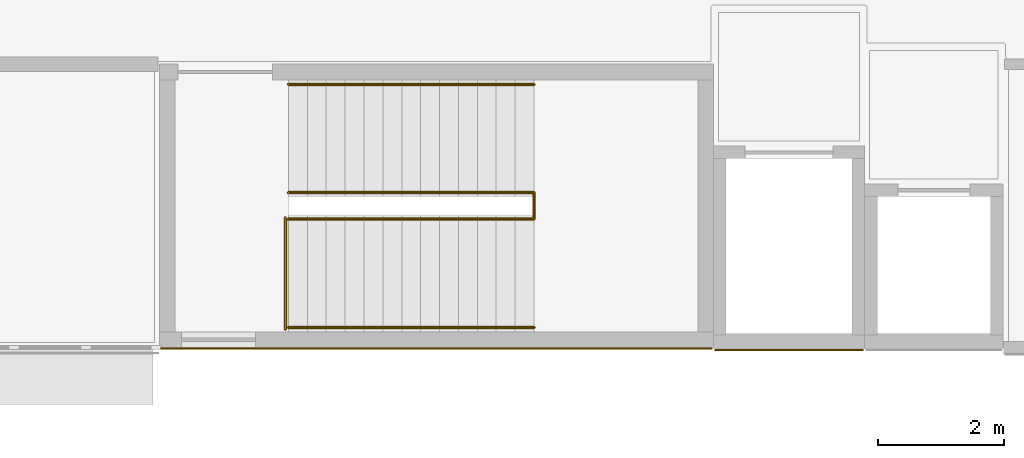
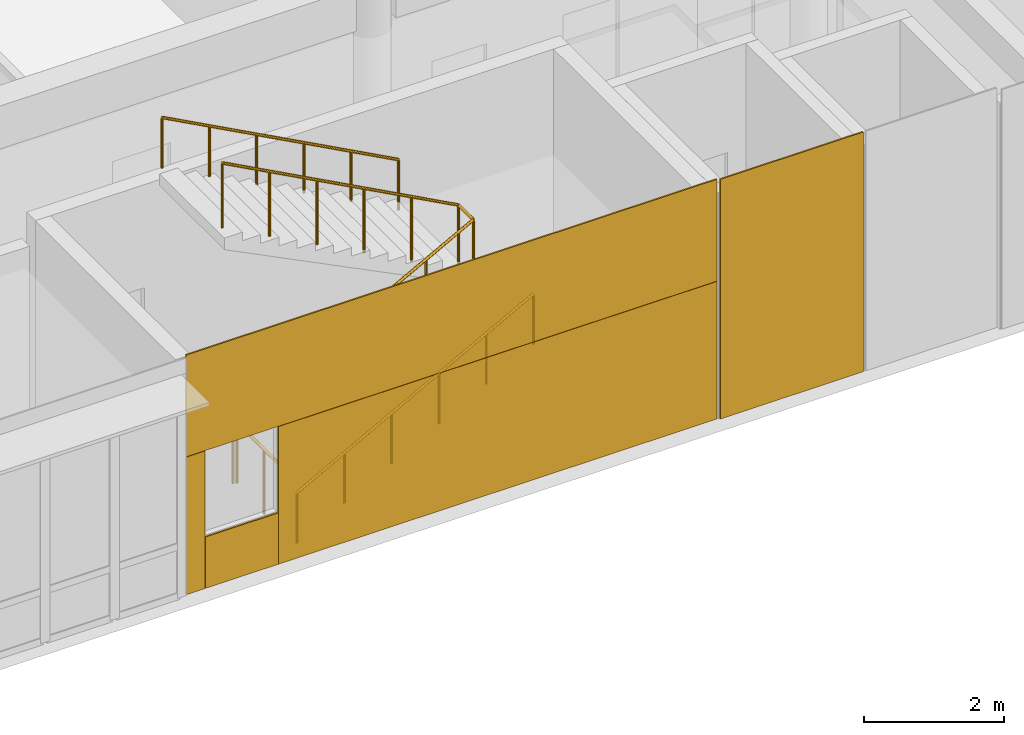
# One storey, part 47 of 55: 5 coverings, 4 railings.
"""IFC4 building model written with IfcOpenShell, lengths in metres."""

from ifc_helpers import new_model, si_unit, direction, frame, origin, origin_2d, place, context, subcontext, project, spatial, rectangle, circle, extrude, material, layer, layer_set, type_object, element, save


model = new_model("IFC4")

# Units and contexts
model_context = context("Model", 3, precision=1e-05, world=origin(), true_north=direction((0.0, 1.0)))
body_context = subcontext(model_context, "Body", "Model", "MODEL_VIEW")
ifc_project = project(units=[si_unit("LENGTHUNIT", "METRE"), si_unit("AREAUNIT", "SQUARE_METRE"), si_unit("VOLUMEUNIT", "CUBIC_METRE"), si_unit("PLANEANGLEUNIT", "RADIAN"), si_unit("MASSUNIT", "GRAM", prefix="KILO")], contexts=[model_context])

# Site, building, storey
site_placement = place(None, origin())
site = spatial("IfcSite", under=ifc_project, at=site_placement, CompositionType="ELEMENT")
building_placement = place(site_placement, origin())
building = spatial("IfcBuilding", under=site, at=building_placement, Name="Namkhue Oval Health Centre", CompositionType="ELEMENT")
storey_placement = place(building_placement, frame((0.0, 0.0, 9.60009765625)))
storey = spatial("IfcBuildingStorey", under=building, at=storey_placement, Name="L02", CompositionType="ELEMENT", Elevation=9.60009765625)

# Railings
ifc_material_1 = material(Name="Brushed stainless steel 316L balustrade with laminated glass infill", Category="steel")
railing_type_1 = type_object("IfcRailingType", Name="INTERIOR BALUSTRADE GUARD 1150", PredefinedType="BALUSTRADE", material=ifc_material_1)
railing_1_placement = place(storey_placement, frame((59.60009765625, 90.2900390625, 0.0)))
element("IfcRailing", 1, at=railing_1_placement, inside=storey, type_object=railing_type_1, Name="Stair ST-03 L02 Landing Well Edge Guard", PredefinedType="BALUSTRADE", context=body_context, shape_type="SweptSolid", body=[
    extrude(circle(Radius=0.02392578125, at=origin_2d()), frame((0.0, 0.0, 1.1259765625), z_axis=(0.0, 1.0, 0.0), x_axis=(-1.0, 0.0, 0.0)), (0.0, 0.0, 1.0), 1.77001953125),
    extrude(circle(Radius=0.02099609375, at=origin_2d()), origin(), (0.0, 0.0, 1.0), 1.101806640625),
    extrude(circle(Radius=0.02099609375, at=origin_2d()), frame((0.0, 0.885009765625, 0.0)), (0.0, 0.0, 1.0), 1.101806640625),
    extrude(circle(Radius=0.02099609375, at=origin_2d()), frame((0.0, 1.77001953125, 0.0)), (0.0, 0.0, 1.0), 1.101806640625),
])
railing_2_placement = place(storey_placement, frame((59.64990234375, 92.0400390625, 0.0)))
element("IfcRailing", 2, at=railing_2_placement, inside=storey, type_object=railing_type_1, Name="Stair ST-03 L02 Inner Well Guard", PredefinedType="BALUSTRADE", context=body_context, shape_type="SweptSolid", body=[
    extrude(circle(Radius=0.02392578125, at=origin_2d()), frame((0.0, 0.0, 1.1259765625), z_axis=(0.88049233674, 0.0, 0.474060381114), x_axis=(0.0, 1.0, 0.0)), (0.0, 0.0, 1.0), 4.429443359375),
    extrude(circle(Radius=0.02392578125, at=origin_2d()), frame((3.900146484375, 0.0, 3.2255859375), z_axis=(0.0, 1.0, 0.0), x_axis=(-1.0, 0.0, 0.0)), (0.0, 0.0, 1.0), 0.419921875),
    extrude(circle(Radius=0.02392578125, at=origin_2d()), frame((3.900146484375, 0.419921875, 3.2255859375), z_axis=(-0.880469330154, 0.0, 0.474103109733), x_axis=(0.0, -1.0, 0.0)), (0.0, 0.0, 1.0), 4.4296875),
    extrude(circle(Radius=0.02099609375, at=origin_2d()), origin(), (0.0, 0.0, 1.0), 1.101806640625),
    extrude(circle(Radius=0.02099609375, at=origin_2d()), frame((0.780029296875, 0.0, 0.419921875)), (0.0, 0.0, 1.0), 1.101806640625),
    extrude(circle(Radius=0.02099609375, at=origin_2d()), frame((1.56005859375, 0.0, 0.83984375)), (0.0, 0.0, 1.0), 1.101806640625),
    extrude(circle(Radius=0.02099609375, at=origin_2d()), frame((2.340087890625, 0.0, 1.260009765625)), (0.0, 0.0, 1.0), 1.101806640625),
    extrude(circle(Radius=0.02099609375, at=origin_2d()), frame((3.1201171875, 0.0, 1.679931640625)), (0.0, 0.0, 1.0), 1.101806640625),
    extrude(circle(Radius=0.02099609375, at=origin_2d()), frame((3.900146484375, 0.0, 2.099853515625)), (0.0, 0.0, 1.0), 1.101806640625),
    extrude(circle(Radius=0.02099609375, at=origin_2d()), frame((3.900146484375, 0.419921875, 2.099853515625)), (0.0, 0.0, 1.0), 1.101806640625),
    extrude(circle(Radius=0.02099609375, at=origin_2d()), frame((3.1201171875, 0.419921875, 2.519775390625)), (0.0, 0.0, 1.0), 1.101806640625),
    extrude(circle(Radius=0.02099609375, at=origin_2d()), frame((2.340087890625, 0.419921875, 2.93994140625)), (0.0, 0.0, 1.0), 1.101806640625),
    extrude(circle(Radius=0.02099609375, at=origin_2d()), frame((1.56005859375, 0.419921875, 3.35986328125)), (0.0, 0.0, 1.0), 1.101806640625),
    extrude(circle(Radius=0.02099609375, at=origin_2d()), frame((0.780029296875, 0.419921875, 3.780029296875)), (0.0, 0.0, 1.0), 1.101806640625),
    extrude(circle(Radius=0.02099609375, at=origin_2d()), frame((0.0, 0.419921875, 4.199951171875)), (0.0, 0.0, 1.0), 1.101806640625),
])
ifc_material_2 = material(Name="Brushed stainless steel 304 tubular handrail", Category="steel")
railing_type_2 = type_object("IfcRailingType", Name="INTERIOR STAIR HANDRAIL 900", PredefinedType="HANDRAIL", material=ifc_material_2)
railing_3_placement = place(storey_placement, frame((59.64990234375, 90.320068359375, 0.0)))
element("IfcRailing", 3, at=railing_3_placement, inside=storey, type_object=railing_type_2, Name="Stair ST-03 L02 Flight 1 Handrail", PredefinedType="HANDRAIL", context=body_context, shape_type="SweptSolid", body=[
    extrude(circle(Radius=0.02392578125, at=origin_2d()), frame((0.0, 0.0, 0.8759765625), z_axis=(0.88049233674, 0.0, 0.474060381114), x_axis=(0.0, 1.0, 0.0)), (0.0, 0.0, 1.0), 4.429443359375),
    extrude(circle(Radius=0.02099609375, at=origin_2d()), origin(), (0.0, 0.0, 1.0), 0.851806640625),
    extrude(circle(Radius=0.02099609375, at=origin_2d()), frame((0.780029296875, 0.0, 0.419921875)), (0.0, 0.0, 1.0), 0.851806640625),
    extrude(circle(Radius=0.02099609375, at=origin_2d()), frame((1.56005859375, 0.0, 0.83984375)), (0.0, 0.0, 1.0), 0.851806640625),
    extrude(circle(Radius=0.02099609375, at=origin_2d()), frame((2.340087890625, 0.0, 1.260009765625)), (0.0, 0.0, 1.0), 0.851806640625),
    extrude(circle(Radius=0.02099609375, at=origin_2d()), frame((3.1201171875, 0.0, 1.679931640625)), (0.0, 0.0, 1.0), 0.851806640625),
    extrude(circle(Radius=0.02099609375, at=origin_2d()), frame((3.900146484375, 0.0, 2.099853515625)), (0.0, 0.0, 1.0), 0.851806640625),
])
railing_4_placement = place(storey_placement, frame((63.550048828125, 94.179931640625, 2.099853515625)))
element("IfcRailing", 4, at=railing_4_placement, inside=storey, type_object=railing_type_2, Name="Stair ST-03 L02 Flight 2 Handrail", PredefinedType="HANDRAIL", context=body_context, shape_type="SweptSolid", body=[
    extrude(circle(Radius=0.02392578125, at=origin_2d()), frame((0.0, 0.0, 0.8759765625), z_axis=(-0.880469330154, 0.0, 0.474103109733), x_axis=(0.0, -1.0, 0.0)), (0.0, 0.0, 1.0), 4.4296875),
    extrude(circle(Radius=0.02099609375, at=origin_2d()), origin(), (0.0, 0.0, 1.0), 0.851806640625),
    extrude(circle(Radius=0.02099609375, at=origin_2d()), frame((-0.780029296875, 0.0, 0.419921875)), (0.0, 0.0, 1.0), 0.851806640625),
    extrude(circle(Radius=0.02099609375, at=origin_2d()), frame((-1.56005859375, 0.0, 0.840087890625)), (0.0, 0.0, 1.0), 0.851806640625),
    extrude(circle(Radius=0.02099609375, at=origin_2d()), frame((-2.340087890625, 0.0, 1.260009765625)), (0.0, 0.0, 1.0), 0.851806640625),
    extrude(circle(Radius=0.02099609375, at=origin_2d()), frame((-3.1201171875, 0.0, 1.68017578125)), (0.0, 0.0, 1.0), 0.851806640625),
    extrude(circle(Radius=0.02099609375, at=origin_2d()), frame((-3.900146484375, 0.0, 2.10009765625)), (0.0, 0.0, 1.0), 0.851806640625),
])

# Coverings
ifc_material_3 = material(Name="White glass-fibre reinforced concrete GRC rainscreen cladding", Category="concrete")
ifc_layer = layer(ifc_material_3, 0.02490234375)
ifc_layer_set = layer_set([ifc_layer], Name="White glass-fibre reinforced concrete GRC rainscreen cladding")
covering_type = type_object("IfcCoveringType", Name="WHITE GRC RAINSCREEN CLADDING 25", PredefinedType="CLADDING", material=ifc_layer_set)
covering_1_placement = place(storey_placement, frame((62.0, 89.988037109375, 2.4150390625), z_axis=(0.0, 0.0, 1.0), x_axis=(1.0, 0.0, 0.0)))
element("IfcCovering", 5, at=covering_1_placement, inside=storey, type_object=covering_type, Name="Core SC-03 L02 Core S White GRC Cladding 1", PredefinedType="CLADDING", context=body_context, shape_type="SweptSolid", body=[
    extrude(rectangle(XDim=8.760009765625, YDim=0.02490234375, at=origin_2d()), origin(), (0.0, 0.0, 1.0), 1.77490234375),
])
covering_2_placement = place(storey_placement, frame((57.777587890625, 89.988037109375, 0.010009765625), z_axis=(0.0, 0.0, 1.0), x_axis=(1.0, 0.0, 0.0)))
element("IfcCovering", 6, at=covering_2_placement, inside=storey, type_object=covering_type, Name="Core SC-03 L02 Core S White GRC Cladding 2", PredefinedType="CLADDING", context=body_context, shape_type="SweptSolid", body=[
    extrude(rectangle(XDim=0.31494140625, YDim=0.02490234375, at=origin_2d()), origin(), (0.0, 0.0, 1.0), 2.39990234375),
])
covering_3_placement = place(storey_placement, frame((58.5400390625, 89.988037109375, 0.010009765625), z_axis=(0.0, 0.0, 1.0), x_axis=(1.0, 0.0, 0.0)))
element("IfcCovering", 7, at=covering_3_placement, inside=storey, type_object=covering_type, Name="Core SC-03 L02 Core S White GRC Cladding 3", PredefinedType="CLADDING", context=body_context, shape_type="SweptSolid", body=[
    extrude(rectangle(XDim=1.199951171875, YDim=0.02490234375, at=origin_2d()), origin(), (0.0, 0.0, 1.0), 0.89501953125),
])
covering_4_placement = place(storey_placement, frame((62.762451171875, 89.988037109375, 0.010009765625), z_axis=(0.0, 0.0, 1.0), x_axis=(1.0, 0.0, 0.0)))
element("IfcCovering", 8, at=covering_4_placement, inside=storey, type_object=covering_type, Name="Core SC-03 L02 Core S White GRC Cladding 4", PredefinedType="CLADDING", context=body_context, shape_type="SweptSolid", body=[
    extrude(rectangle(XDim=7.235107421875, YDim=0.02490234375, at=origin_2d()), origin(), (0.0, 0.0, 1.0), 2.39990234375),
])
covering_5_placement = place(storey_placement, frame((67.60009765625, 89.962890625, 0.009765625), z_axis=(0.0, 0.0, 1.0), x_axis=(1.0, 0.0, 0.0)))
element("IfcCovering", 9, at=covering_5_placement, inside=storey, type_object=covering_type, Name="Lift LF-01 L02 S White GRC Cladding 1", PredefinedType="CLADDING", context=body_context, shape_type="SweptSolid", body=[
    extrude(rectangle(XDim=2.360107421875, YDim=0.02490234375, at=origin_2d()), origin(), (0.0, 0.0, 1.0), 4.179931640625),
])

save(model, "model.ifc")
